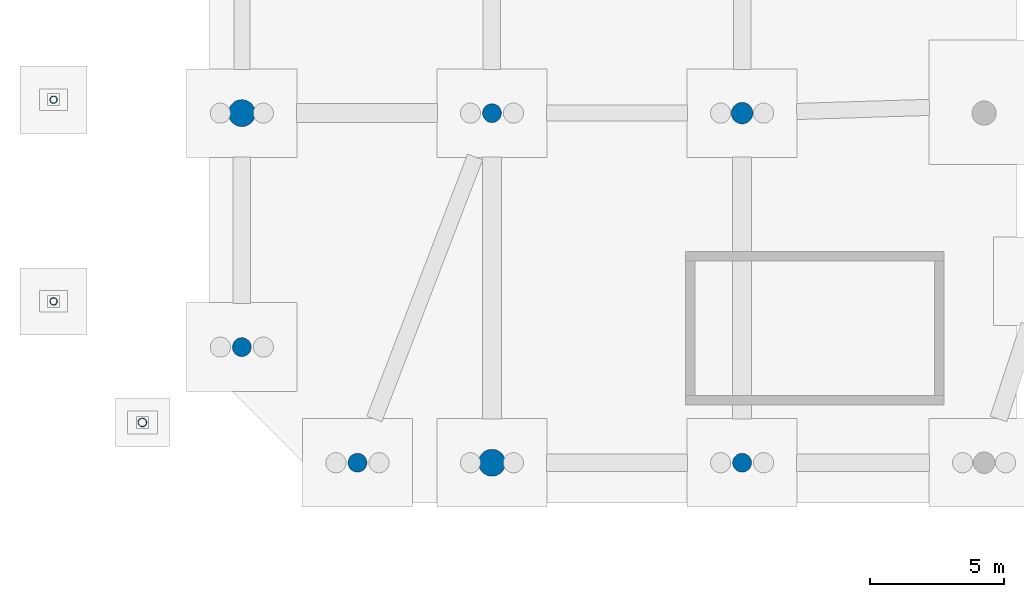
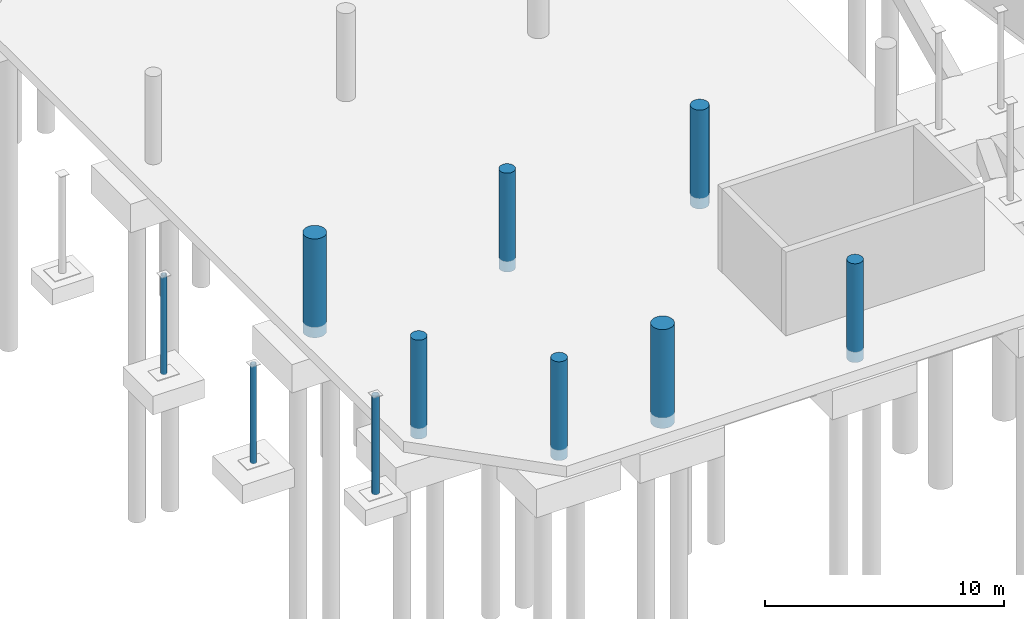
# One storey, part 8 of 55: 10 columns.
"""IFC4 building model written with IfcOpenShell, lengths in metres."""

from ifc_helpers import new_model, si_unit, direction, frame, origin, origin_2d, place, context, subcontext, project, spatial, circle, hollow_circle, extrude, material, material_profile, profile_set, type_object, element, save


model = new_model("IFC4")

# Units and contexts
model_context = context("Model", 3, precision=1e-05, world=origin(), true_north=direction((0.0, 1.0)))
body_context = subcontext(model_context, "Body", "Model", "MODEL_VIEW")
ifc_project = project(units=[si_unit("LENGTHUNIT", "METRE"), si_unit("AREAUNIT", "SQUARE_METRE"), si_unit("VOLUMEUNIT", "CUBIC_METRE"), si_unit("PLANEANGLEUNIT", "RADIAN"), si_unit("MASSUNIT", "GRAM", prefix="KILO")], contexts=[model_context])

# Site, building, storey
site_placement = place(None, origin())
site = spatial("IfcSite", under=ifc_project, at=site_placement, CompositionType="ELEMENT")
building_placement = place(site_placement, origin())
building = spatial("IfcBuilding", under=site, at=building_placement, Name="Sohan Crest Arena", CompositionType="ELEMENT")
storey_placement = place(building_placement, frame((0.0, 0.0, -4.5)))
storey = spatial("IfcBuildingStorey", under=building, at=storey_placement, Name="B1", CompositionType="ELEMENT", Elevation=-4.5)

# Columns
ifc_material_1 = material(Name="Concrete C40/50", Category="concrete")
ifc_material_profile_1 = material_profile(ifc_material_1, circle(Radius=0.35009765625, at=origin_2d()), Name="RC D700")
ifc_profile_set_1 = profile_set([ifc_material_profile_1], Name="Concrete C40/50")
column_type_1 = type_object("IfcColumnType", Name="STR-COL-C13", PredefinedType="COLUMN", material=ifc_profile_set_1)
for number, where, z_axis, x_axis, name in (
    (1, (24.5, 64.5, -0.550048828125), (0.0, 0.0, 1.0), (1.0, 0.0, 0.0), "Structural column COL-V3C-22-B1"),
    (2, (33.800048828125, 51.5, -0.550048828125), (0.0, 0.0, 1.0), (1.0, 0.0, 0.0), "Structural column COL-V3C-31-B1"),
    (3, (19.5, 51.5, -0.550048828125), (0.0, 0.0, 1.0), (1.0, 0.0, 0.0), "Structural column COL-V3CH-1-B1"),
    (4, (15.199951171875, 55.800048828125, -0.550048828125), (0.0, 0.0, 1.0), (1.0, 0.0, 0.0), "Structural column COL-V3CH-2-B1"),
):
    element("IfcColumn", number, at=place(storey_placement, frame(where, z_axis=z_axis, x_axis=x_axis)), inside=storey, type_object=column_type_1, Name=name, PredefinedType="COLUMN", context=body_context, shape_type="SweptSolid", body=[
        extrude(circle(Radius=0.35009765625, at=origin_2d()), origin(), (0.0, 0.0, 1.0), 5.050048828125),
    ])
ifc_material_profile_2 = material_profile(ifc_material_1, circle(Radius=0.39990234375, at=origin_2d()), Name="RC D800")
ifc_profile_set_2 = profile_set([ifc_material_profile_2], Name="Concrete C40/50")
column_type_2 = type_object("IfcColumnType", Name="STR-COL-C14", PredefinedType="COLUMN", material=ifc_profile_set_2)
column_1_placement = place(storey_placement, frame((33.800048828125, 64.5, -0.550048828125), z_axis=(0.0, 0.0, 1.0), x_axis=(1.0, 0.0, 0.0)))
element("IfcColumn", 5, at=column_1_placement, inside=storey, type_object=column_type_2, Name="Structural column COL-V3C-32-B1", PredefinedType="COLUMN", context=body_context, shape_type="SweptSolid", body=[
    extrude(circle(Radius=0.39990234375, at=origin_2d()), origin(), (0.0, 0.0, 1.0), 5.050048828125),
])
ifc_material_profile_3 = material_profile(ifc_material_1, circle(Radius=0.5, at=origin_2d()), Name="RC D1000")
ifc_profile_set_3 = profile_set([ifc_material_profile_3], Name="Concrete C40/50")
column_type_3 = type_object("IfcColumnType", Name="STR-COL-C16", PredefinedType="COLUMN", material=ifc_profile_set_3)
for number, where, z_axis, x_axis, name in (
    (6, (15.199951171875, 64.5, -0.550048828125), (0.0, 0.0, 1.0), (1.0, 0.0, 0.0), "Structural column COL-V3C-12-B1"),
    (7, (24.5, 51.5, -0.550048828125), (0.0, 0.0, 1.0), (1.0, 0.0, 0.0), "Structural column COL-V3C-21-B1"),
):
    element("IfcColumn", number, at=place(storey_placement, frame(where, z_axis=z_axis, x_axis=x_axis)), inside=storey, type_object=column_type_3, Name=name, PredefinedType="COLUMN", context=body_context, shape_type="SweptSolid", body=[
        extrude(circle(Radius=0.5, at=origin_2d()), origin(), (0.0, 0.0, 1.0), 5.050048828125),
    ])
ifc_material_2 = material(Name="Steel S355", Category="steel")
ifc_material_profile_4 = material_profile(ifc_material_2, hollow_circle(Radius=0.136474609375, WallThickness=0.012451171875, at=origin_2d()), Name="CHS 273x12.5")
ifc_profile_set_4 = profile_set([ifc_material_profile_4], Name="Steel S355")
column_type_4 = type_object("IfcColumnType", Name="STR-COL-C25", PredefinedType="COLUMN", material=ifc_profile_set_4)
for number, where, z_axis, x_axis, name in (
    (8, (8.199951171875, 65.0, -0.550048828125), (0.0, 0.0, 1.0), (1.0, 0.0, 0.0), "Structural column COL-V3P-01-B1"),
    (9, (8.199951171875, 57.5, -0.550048828125), (0.0, 0.0, 1.0), (1.0, 0.0, 0.0), "Structural column COL-V3P-07-B1"),
):
    element("IfcColumn", number, at=place(storey_placement, frame(where, z_axis=z_axis, x_axis=x_axis)), inside=storey, type_object=column_type_4, Name=name, PredefinedType="COLUMN", context=body_context, shape_type="SweptSolid", body=[
        extrude(hollow_circle(Radius=0.136474609375, WallThickness=0.012451171875, at=origin_2d()), origin(), (0.0, 0.0, 1.0), 5.050048828125),
    ])
ifc_material_profile_5 = material_profile(ifc_material_2, hollow_circle(Radius=0.161865234375, WallThickness=0.012451171875, at=origin_2d()), Name="CHS 323.9x12.5")
ifc_profile_set_5 = profile_set([ifc_material_profile_5], Name="Steel S355")
column_type_5 = type_object("IfcColumnType", Name="STR-COL-C26", PredefinedType="COLUMN", material=ifc_profile_set_5)
column_2_placement = place(storey_placement, frame((11.5, 53.0, -0.550048828125), z_axis=(0.0, 0.0, 1.0), x_axis=(1.0, 0.0, 0.0)))
element("IfcColumn", 10, at=column_2_placement, inside=storey, type_object=column_type_5, Name="Structural column COL-V3P-05-B1", PredefinedType="COLUMN", context=body_context, shape_type="SweptSolid", body=[
    extrude(hollow_circle(Radius=0.161865234375, WallThickness=0.012451171875, at=origin_2d()), origin(), (0.0, 0.0, 1.0), 5.050048828125),
])

save(model, "model.ifc")
